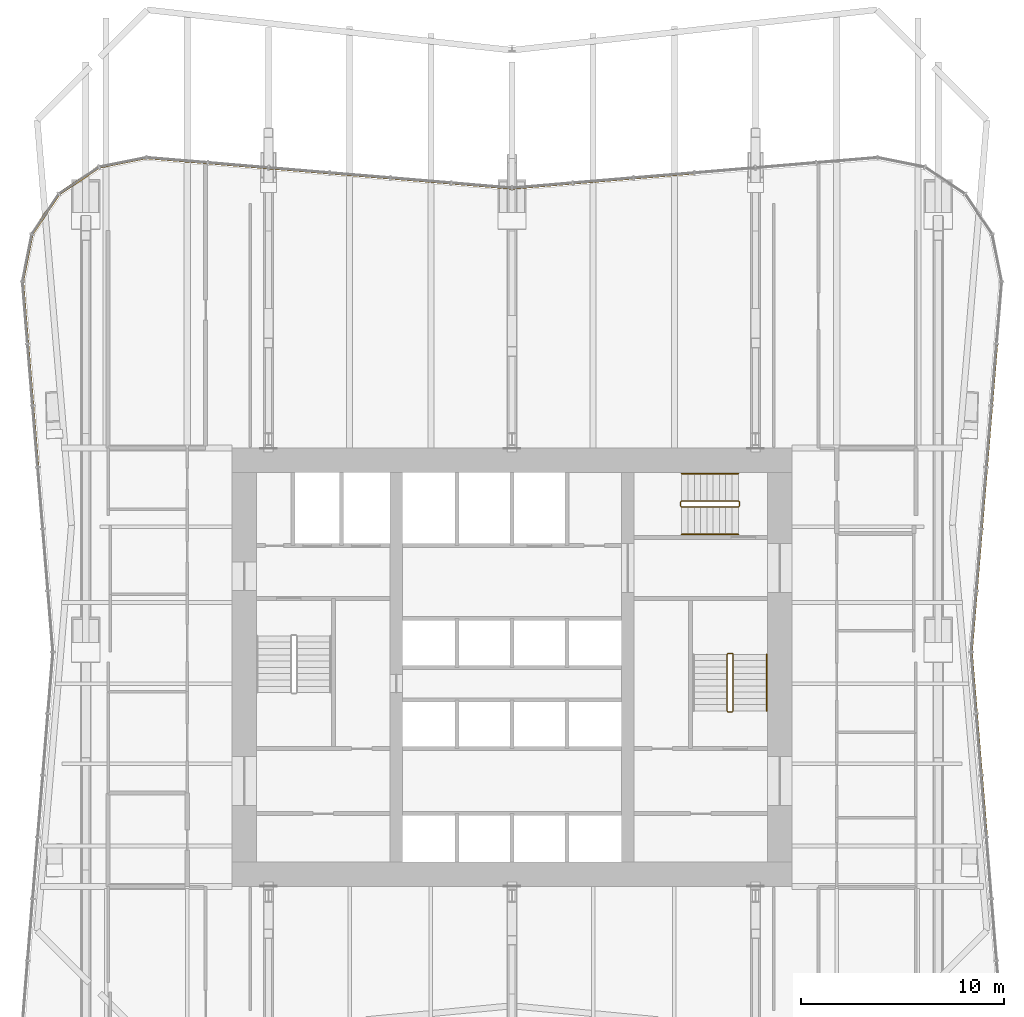
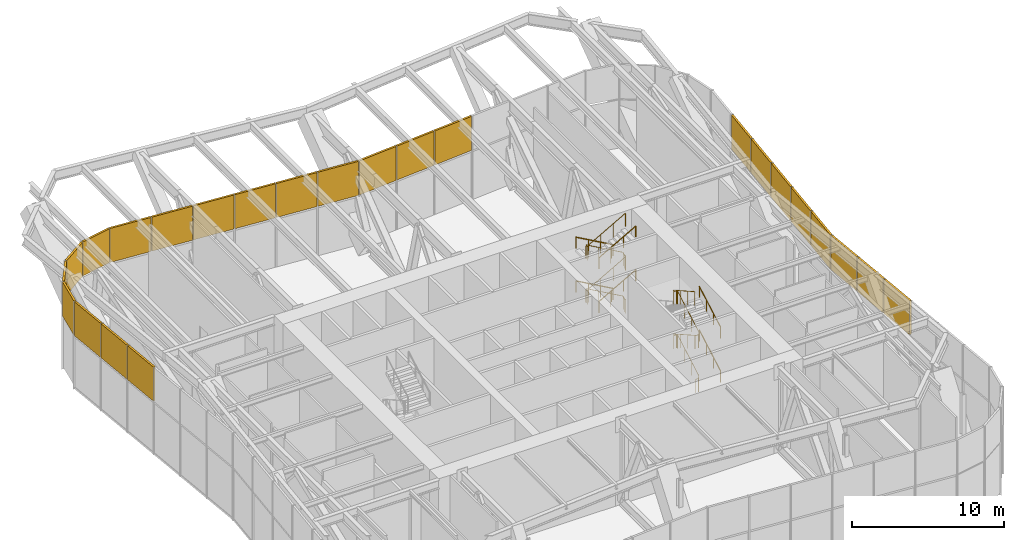
# One storey, part 16 of 17: 24 shading devices, 8 railings, 4 elements without a shape of their own.
"""IFC4 building model written with IfcOpenShell, lengths in metres."""

from ifc_helpers import new_model, si_unit, direction, frame, origin, origin_2d, place, context, subcontext, project, spatial, rectangle, circle, extrude, material, layer, layer_set, type_object, element, aggregate, save


model = new_model("IFC4")

# Units and contexts
model_context = context("Model", 3, precision=1e-05, world=origin(), true_north=direction((0.0, 1.0)))
body_context = subcontext(model_context, "Body", "Model", "MODEL_VIEW")
ifc_project = project(units=[si_unit("LENGTHUNIT", "METRE"), si_unit("AREAUNIT", "SQUARE_METRE"), si_unit("VOLUMEUNIT", "CUBIC_METRE"), si_unit("PLANEANGLEUNIT", "RADIAN"), si_unit("MASSUNIT", "GRAM", prefix="KILO")], contexts=[model_context])

# Site, building, storey
site_placement = place(None, origin())
site = spatial("IfcSite", under=ifc_project, at=site_placement, CompositionType="ELEMENT")
building_placement = place(site_placement, origin())
building = spatial("IfcBuilding", under=site, at=building_placement, Name="Verdant Reach Tower", CompositionType="ELEMENT")
storey_placement = place(building_placement, frame((0.0, 0.0, 114.0)))
storey = spatial("IfcBuildingStorey", under=building, at=storey_placement, Name="L26 Plant", CompositionType="ELEMENT", Elevation=114.0)

# Railings
ifc_material_1 = material(Name="Stainless steel", Category="steel")
railing_type_1 = type_object("IfcRailingType", Name="CO-GUARD", PredefinedType="GUARDRAIL", material=ifc_material_1)
railing_1_placement = place(storey_placement, frame((10.64990234375, 25.800048828125, 0.0)))
element("IfcRailing", 1, at=railing_1_placement, inside=storey, type_object=railing_type_1, Name="L26 Plant ST-2 stair guard 1", PredefinedType="GUARDRAIL", context=body_context, shape_type="SweptSolid", body=[
    extrude(circle(Radius=0.02392578125, at=origin_2d()), frame((0.0, 0.0, 1.076171875), z_axis=(1.0, 0.0, 0.0), x_axis=(0.0, 1.0, 0.0)), (0.0, 0.0, 1.0), 0.2001953125),
    extrude(circle(Radius=0.02392578125, at=origin_2d()), frame((0.2001953125, 0.0, 1.076171875), z_axis=(0.263862480399, 0.265155923931, 0.927399011991), x_axis=(-0.708833529934, 0.705375805398, 0.0)), (0.0, 0.0, 1.0), 0.188720703125),
    extrude(circle(Radius=0.02392578125, at=origin_2d()), frame((0.25, 0.050048828125, 1.2509765625), z_axis=(0.0, 0.870815363784, 0.491610213684), x_axis=(-1.0, 0.0, 0.0)), (0.0, 0.0, 1.0), 3.20361328125),
    extrude(circle(Radius=0.02392578125, at=origin_2d()), frame((0.25, 2.83984375, 2.826171875), z_axis=(-0.705375805398, 0.708833529934, 0.0), x_axis=(-0.708833529934, -0.705375805398, 0.0)), (0.0, 0.0, 1.0), 0.070556640625),
    extrude(circle(Radius=0.02392578125, at=origin_2d()), frame((0.2001953125, 2.889892578125, 2.826171875), z_axis=(-1.0, 0.0, 0.0), x_axis=(0.0, -1.0, 0.0)), (0.0, 0.0, 1.0), 0.2001953125),
    extrude(circle(Radius=0.02392578125, at=origin_2d()), frame((0.0, 2.889892578125, 2.826171875), z_axis=(-0.263862480399, -0.265155923931, 0.927399011991), x_axis=(0.708833529934, -0.705375805398, 0.0)), (0.0, 0.0, 1.0), 0.188720703125),
    extrude(circle(Radius=0.02392578125, at=origin_2d()), frame((-0.0498046875, 2.83984375, 3.0009765625), z_axis=(0.0, -0.870815363784, 0.491610213684), x_axis=(1.0, 0.0, 0.0)), (0.0, 0.0, 1.0), 3.20361328125),
    extrude(circle(Radius=0.02392578125, at=origin_2d()), frame((-0.0498046875, 0.050048828125, 4.576171875), z_axis=(0.705375805398, -0.708833529934, 0.0), x_axis=(0.708833529934, 0.705375805398, 0.0)), (0.0, 0.0, 1.0), 0.070556640625),
    extrude(circle(Radius=0.02392578125, at=origin_2d()), frame((0.0, 0.0, 4.576171875), z_axis=(1.0, 0.0, 0.0), x_axis=(0.0, 1.0, 0.0)), (0.0, 0.0, 1.0), 0.2001953125),
    extrude(circle(Radius=0.02392578125, at=origin_2d()), frame((0.2001953125, 0.0, 4.576171875), z_axis=(0.263862480399, 0.265155923931, 0.927399011991), x_axis=(-0.708833529934, 0.705375805398, 0.0)), (0.0, 0.0, 1.0), 0.188720703125),
    extrude(circle(Radius=0.02392578125, at=origin_2d()), frame((0.25, 0.050048828125, 4.7509765625), z_axis=(0.0, 0.870815363784, 0.491610213684), x_axis=(-1.0, 0.0, 0.0)), (0.0, 0.0, 1.0), 3.20361328125),
    extrude(circle(Radius=0.02392578125, at=origin_2d()), frame((0.25, 2.83984375, 6.326171875), z_axis=(-0.705375805398, 0.708833529934, 0.0), x_axis=(-0.708833529934, -0.705375805398, 0.0)), (0.0, 0.0, 1.0), 0.070556640625),
    extrude(circle(Radius=0.02392578125, at=origin_2d()), frame((0.2001953125, 2.889892578125, 6.326171875), z_axis=(-1.0, 0.0, 0.0), x_axis=(0.0, -1.0, 0.0)), (0.0, 0.0, 1.0), 0.2001953125),
    extrude(circle(Radius=0.02392578125, at=origin_2d()), frame((0.0, 2.889892578125, 6.326171875), z_axis=(-0.263862480399, -0.265155923931, 0.927399011991), x_axis=(0.708833529934, -0.705375805398, 0.0)), (0.0, 0.0, 1.0), 0.188720703125),
    extrude(circle(Radius=0.02392578125, at=origin_2d()), frame((-0.0498046875, 2.83984375, 6.5009765625), z_axis=(0.0, -0.870815363784, 0.491610213684), x_axis=(1.0, 0.0, 0.0)), (0.0, 0.0, 1.0), 3.20361328125),
    extrude(circle(Radius=0.02099609375, at=origin_2d()), origin(), (0.0, 0.0, 1.0), 1.052001953125),
    extrude(circle(Radius=0.02099609375, at=origin_2d()), frame((0.2001953125, 0.0, 0.0)), (0.0, 0.0, 1.0), 1.052001953125),
    extrude(circle(Radius=0.02099609375, at=origin_2d()), frame((0.25, 0.050048828125, 0.175048828125)), (0.0, 0.0, 1.0), 1.052001953125),
    extrude(circle(Radius=0.02099609375, at=origin_2d()), frame((0.25, 0.97998046875, 0.699951171875)), (0.0, 0.0, 1.0), 1.052001953125),
    extrude(circle(Radius=0.02099609375, at=origin_2d()), frame((0.25, 1.909912109375, 1.22509765625)), (0.0, 0.0, 1.0), 1.052001953125),
    extrude(circle(Radius=0.02099609375, at=origin_2d()), frame((0.25, 2.83984375, 1.75)), (0.0, 0.0, 1.0), 1.052001953125),
    extrude(circle(Radius=0.02099609375, at=origin_2d()), frame((0.2001953125, 2.889892578125, 1.75)), (0.0, 0.0, 1.0), 1.052001953125),
    extrude(circle(Radius=0.02099609375, at=origin_2d()), frame((0.0, 2.889892578125, 1.75)), (0.0, 0.0, 1.0), 1.052001953125),
    extrude(circle(Radius=0.02099609375, at=origin_2d()), frame((-0.0498046875, 2.83984375, 1.925048828125)), (0.0, 0.0, 1.0), 1.052001953125),
    extrude(circle(Radius=0.02099609375, at=origin_2d()), frame((-0.0498046875, 1.909912109375, 2.449951171875)), (0.0, 0.0, 1.0), 1.052001953125),
    extrude(circle(Radius=0.02099609375, at=origin_2d()), frame((-0.0498046875, 0.97998046875, 2.97509765625)), (0.0, 0.0, 1.0), 1.052001953125),
    extrude(circle(Radius=0.02099609375, at=origin_2d()), frame((-0.0498046875, 0.050048828125, 3.5)), (0.0, 0.0, 1.0), 1.052001953125),
    extrude(circle(Radius=0.02099609375, at=origin_2d()), frame((0.0, 0.0, 3.5)), (0.0, 0.0, 1.0), 1.052001953125),
    extrude(circle(Radius=0.02099609375, at=origin_2d()), frame((0.2001953125, 0.0, 3.5)), (0.0, 0.0, 1.0), 1.052001953125),
    extrude(circle(Radius=0.02099609375, at=origin_2d()), frame((0.25, 0.050048828125, 3.675048828125)), (0.0, 0.0, 1.0), 1.052001953125),
    extrude(circle(Radius=0.02099609375, at=origin_2d()), frame((0.25, 0.97998046875, 4.199951171875)), (0.0, 0.0, 1.0), 1.052001953125),
    extrude(circle(Radius=0.02099609375, at=origin_2d()), frame((0.25, 1.909912109375, 4.72509765625)), (0.0, 0.0, 1.0), 1.052001953125),
    extrude(circle(Radius=0.02099609375, at=origin_2d()), frame((0.25, 2.83984375, 5.25)), (0.0, 0.0, 1.0), 1.052001953125),
    extrude(circle(Radius=0.02099609375, at=origin_2d()), frame((0.2001953125, 2.889892578125, 5.25)), (0.0, 0.0, 1.0), 1.052001953125),
    extrude(circle(Radius=0.02099609375, at=origin_2d()), frame((0.0, 2.889892578125, 5.25)), (0.0, 0.0, 1.0), 1.052001953125),
    extrude(circle(Radius=0.02099609375, at=origin_2d()), frame((-0.0498046875, 2.83984375, 5.425048828125)), (0.0, 0.0, 1.0), 1.052001953125),
    extrude(circle(Radius=0.02099609375, at=origin_2d()), frame((-0.0498046875, 1.909912109375, 5.949951171875)), (0.0, 0.0, 1.0), 1.052001953125),
    extrude(circle(Radius=0.02099609375, at=origin_2d()), frame((-0.0498046875, 0.97998046875, 6.47509765625)), (0.0, 0.0, 1.0), 1.052001953125),
    extrude(circle(Radius=0.02099609375, at=origin_2d()), frame((-0.0498046875, 0.050048828125, 7.0)), (0.0, 0.0, 1.0), 1.052001953125),
])
railing_2_placement = place(storey_placement, frame((11.199951171875, 35.949951171875, 0.0)))
element("IfcRailing", 2, at=railing_2_placement, inside=storey, type_object=railing_type_1, Name="L26 Plant ST-3 stair guard 1", PredefinedType="GUARDRAIL", context=body_context, shape_type="SweptSolid", body=[
    extrude(circle(Radius=0.02392578125, at=origin_2d()), frame((0.0, 0.0, 1.076171875), z_axis=(0.0, 1.0, 0.0), x_axis=(-1.0, 0.0, 0.0)), (0.0, 0.0, 1.0), 0.199951171875),
    extrude(circle(Radius=0.02392578125, at=origin_2d()), frame((0.0, 0.199951171875, 1.076171875), z_axis=(-0.265065253269, 0.265065253269, 0.927081885822), x_axis=(-0.707106781187, -0.707106781187, 0.0)), (0.0, 0.0, 1.0), 0.188720703125),
    extrude(circle(Radius=0.02392578125, at=origin_2d()), frame((-0.050048828125, 0.25, 1.2509765625), z_axis=(-0.870815363784, 0.0, 0.491610213684), x_axis=(0.0, -1.0, 0.0)), (0.0, 0.0, 1.0), 3.20361328125),
    extrude(circle(Radius=0.02392578125, at=origin_2d()), frame((-2.83984375, 0.25, 2.826171875), z_axis=(-0.707106781187, -0.707106781187, 0.0), x_axis=(0.707106781187, -0.707106781187, 0.0)), (0.0, 0.0, 1.0), 0.07080078125),
    extrude(circle(Radius=0.02392578125, at=origin_2d()), frame((-2.889892578125, 0.199951171875, 2.826171875), z_axis=(0.0, -1.0, 0.0), x_axis=(1.0, 0.0, 0.0)), (0.0, 0.0, 1.0), 0.199951171875),
    extrude(circle(Radius=0.02392578125, at=origin_2d()), frame((-2.889892578125, 0.0, 2.826171875), z_axis=(0.265065253269, -0.265065253269, 0.927081885822), x_axis=(0.707106781187, 0.707106781187, 0.0)), (0.0, 0.0, 1.0), 0.188720703125),
    extrude(circle(Radius=0.02392578125, at=origin_2d()), frame((-2.83984375, -0.050048828125, 3.0009765625), z_axis=(0.870815363784, 0.0, 0.491610213684), x_axis=(0.0, 1.0, 0.0)), (0.0, 0.0, 1.0), 3.20361328125),
    extrude(circle(Radius=0.02392578125, at=origin_2d()), frame((-0.050048828125, -0.050048828125, 4.576171875), z_axis=(0.707106781187, 0.707106781187, 0.0), x_axis=(-0.707106781187, 0.707106781187, 0.0)), (0.0, 0.0, 1.0), 0.07080078125),
    extrude(circle(Radius=0.02392578125, at=origin_2d()), frame((0.0, 0.0, 4.576171875), z_axis=(0.0, 1.0, 0.0), x_axis=(-1.0, 0.0, 0.0)), (0.0, 0.0, 1.0), 0.199951171875),
    extrude(circle(Radius=0.02392578125, at=origin_2d()), frame((0.0, 0.199951171875, 4.576171875), z_axis=(-0.265065253269, 0.265065253269, 0.927081885822), x_axis=(-0.707106781187, -0.707106781187, 0.0)), (0.0, 0.0, 1.0), 0.188720703125),
    extrude(circle(Radius=0.02392578125, at=origin_2d()), frame((-0.050048828125, 0.25, 4.7509765625), z_axis=(-0.870815363784, 0.0, 0.491610213684), x_axis=(0.0, -1.0, 0.0)), (0.0, 0.0, 1.0), 3.20361328125),
    extrude(circle(Radius=0.02392578125, at=origin_2d()), frame((-2.83984375, 0.25, 6.326171875), z_axis=(-0.707106781187, -0.707106781187, 0.0), x_axis=(0.707106781187, -0.707106781187, 0.0)), (0.0, 0.0, 1.0), 0.07080078125),
    extrude(circle(Radius=0.02392578125, at=origin_2d()), frame((-2.889892578125, 0.199951171875, 6.326171875), z_axis=(0.0, -1.0, 0.0), x_axis=(1.0, 0.0, 0.0)), (0.0, 0.0, 1.0), 0.199951171875),
    extrude(circle(Radius=0.02392578125, at=origin_2d()), frame((-2.889892578125, 0.0, 6.326171875), z_axis=(0.265065253269, -0.265065253269, 0.927081885822), x_axis=(0.707106781187, 0.707106781187, 0.0)), (0.0, 0.0, 1.0), 0.188720703125),
    extrude(circle(Radius=0.02392578125, at=origin_2d()), frame((-2.83984375, -0.050048828125, 6.5009765625), z_axis=(0.870815363784, 0.0, 0.491610213684), x_axis=(0.0, 1.0, 0.0)), (0.0, 0.0, 1.0), 3.20361328125),
    extrude(circle(Radius=0.02099609375, at=origin_2d()), origin(), (0.0, 0.0, 1.0), 1.052001953125),
    extrude(circle(Radius=0.02099609375, at=origin_2d()), frame((0.0, 0.199951171875, 0.0)), (0.0, 0.0, 1.0), 1.052001953125),
    extrude(circle(Radius=0.02099609375, at=origin_2d()), frame((-0.050048828125, 0.25, 0.175048828125)), (0.0, 0.0, 1.0), 1.052001953125),
    extrude(circle(Radius=0.02099609375, at=origin_2d()), frame((-0.97998046875, 0.25, 0.699951171875)), (0.0, 0.0, 1.0), 1.052001953125),
    extrude(circle(Radius=0.02099609375, at=origin_2d()), frame((-1.909912109375, 0.25, 1.22509765625)), (0.0, 0.0, 1.0), 1.052001953125),
    extrude(circle(Radius=0.02099609375, at=origin_2d()), frame((-2.83984375, 0.25, 1.75)), (0.0, 0.0, 1.0), 1.052001953125),
    extrude(circle(Radius=0.02099609375, at=origin_2d()), frame((-2.889892578125, 0.199951171875, 1.75)), (0.0, 0.0, 1.0), 1.052001953125),
    extrude(circle(Radius=0.02099609375, at=origin_2d()), frame((-2.889892578125, 0.0, 1.75)), (0.0, 0.0, 1.0), 1.052001953125),
    extrude(circle(Radius=0.02099609375, at=origin_2d()), frame((-2.83984375, -0.050048828125, 1.925048828125)), (0.0, 0.0, 1.0), 1.052001953125),
    extrude(circle(Radius=0.02099609375, at=origin_2d()), frame((-1.909912109375, -0.050048828125, 2.449951171875)), (0.0, 0.0, 1.0), 1.052001953125),
    extrude(circle(Radius=0.02099609375, at=origin_2d()), frame((-0.97998046875, -0.050048828125, 2.97509765625)), (0.0, 0.0, 1.0), 1.052001953125),
    extrude(circle(Radius=0.02099609375, at=origin_2d()), frame((-0.050048828125, -0.050048828125, 3.5)), (0.0, 0.0, 1.0), 1.052001953125),
    extrude(circle(Radius=0.02099609375, at=origin_2d()), frame((0.0, 0.0, 3.5)), (0.0, 0.0, 1.0), 1.052001953125),
    extrude(circle(Radius=0.02099609375, at=origin_2d()), frame((0.0, 0.199951171875, 3.5)), (0.0, 0.0, 1.0), 1.052001953125),
    extrude(circle(Radius=0.02099609375, at=origin_2d()), frame((-0.050048828125, 0.25, 3.675048828125)), (0.0, 0.0, 1.0), 1.052001953125),
    extrude(circle(Radius=0.02099609375, at=origin_2d()), frame((-0.97998046875, 0.25, 4.199951171875)), (0.0, 0.0, 1.0), 1.052001953125),
    extrude(circle(Radius=0.02099609375, at=origin_2d()), frame((-1.909912109375, 0.25, 4.72509765625)), (0.0, 0.0, 1.0), 1.052001953125),
    extrude(circle(Radius=0.02099609375, at=origin_2d()), frame((-2.83984375, 0.25, 5.25)), (0.0, 0.0, 1.0), 1.052001953125),
    extrude(circle(Radius=0.02099609375, at=origin_2d()), frame((-2.889892578125, 0.199951171875, 5.25)), (0.0, 0.0, 1.0), 1.052001953125),
    extrude(circle(Radius=0.02099609375, at=origin_2d()), frame((-2.889892578125, 0.0, 5.25)), (0.0, 0.0, 1.0), 1.052001953125),
    extrude(circle(Radius=0.02099609375, at=origin_2d()), frame((-2.83984375, -0.050048828125, 5.425048828125)), (0.0, 0.0, 1.0), 1.052001953125),
    extrude(circle(Radius=0.02099609375, at=origin_2d()), frame((-1.909912109375, -0.050048828125, 5.949951171875)), (0.0, 0.0, 1.0), 1.052001953125),
    extrude(circle(Radius=0.02099609375, at=origin_2d()), frame((-0.97998046875, -0.050048828125, 6.47509765625)), (0.0, 0.0, 1.0), 1.052001953125),
    extrude(circle(Radius=0.02099609375, at=origin_2d()), frame((-0.050048828125, -0.050048828125, 7.0)), (0.0, 0.0, 1.0), 1.052001953125),
])
railing_type_2 = type_object("IfcRailingType", Name="CO-HANDRAIL", PredefinedType="HANDRAIL", material=ifc_material_1)
for number, where, name in (
    (3, (12.550048828125, 25.85009765625, 0.175048828125), "L26 Plant ST-2 stair handrail 1"),
    (4, (12.550048828125, 25.85009765625, 3.675048828125), "L26 Plant ST-2 stair handrail 3"),
):
    element("IfcRailing", number, at=place(storey_placement, frame(where)), inside=storey, type_object=railing_type_2, Name=name, PredefinedType="HANDRAIL", context=body_context, shape_type="SweptSolid", body=[
        extrude(circle(Radius=0.02392578125, at=origin_2d()), frame((0.0, 0.0, 0.8759765625), z_axis=(0.0, 0.870815363784, 0.491610213684), x_axis=(-1.0, 0.0, 0.0)), (0.0, 0.0, 1.0), 3.20361328125),
        extrude(circle(Radius=0.02099609375, at=origin_2d()), origin(), (0.0, 0.0, 1.0), 0.851806640625),
        extrude(circle(Radius=0.02099609375, at=origin_2d()), frame((0.0, 0.929931640625, 0.52490234375)), (0.0, 0.0, 1.0), 0.851806640625),
        extrude(circle(Radius=0.02099609375, at=origin_2d()), frame((0.0, 1.85986328125, 1.050048828125)), (0.0, 0.0, 1.0), 0.851806640625),
        extrude(circle(Radius=0.02099609375, at=origin_2d()), frame((0.0, 2.789794921875, 1.574951171875)), (0.0, 0.0, 1.0), 0.851806640625),
    ])
railing_3_placement = place(storey_placement, frame((11.14990234375, 37.550048828125, 0.175048828125)))
element("IfcRailing", 5, at=railing_3_placement, inside=storey, type_object=railing_type_2, Name="L26 Plant ST-3 stair handrail 1", PredefinedType="HANDRAIL", context=body_context, shape_type="SweptSolid", body=[
    extrude(circle(Radius=0.02392578125, at=origin_2d()), frame((0.0, 0.0, 0.8759765625), z_axis=(-0.870815363784, 0.0, 0.491610213684), x_axis=(0.0, -1.0, 0.0)), (0.0, 0.0, 1.0), 3.20361328125),
    extrude(circle(Radius=0.02099609375, at=origin_2d()), origin(), (0.0, 0.0, 1.0), 0.851806640625),
    extrude(circle(Radius=0.02099609375, at=origin_2d()), frame((-0.929931640625, 0.0, 0.52490234375)), (0.0, 0.0, 1.0), 0.851806640625),
    extrude(circle(Radius=0.02099609375, at=origin_2d()), frame((-1.85986328125, 0.0, 1.050048828125)), (0.0, 0.0, 1.0), 0.851806640625),
    extrude(circle(Radius=0.02099609375, at=origin_2d()), frame((-2.789794921875, 0.0, 1.574951171875)), (0.0, 0.0, 1.0), 0.851806640625),
])
railing_4_placement = place(storey_placement, frame((8.360107421875, 34.550048828125, 1.925048828125)))
element("IfcRailing", 6, at=railing_4_placement, inside=storey, type_object=railing_type_2, Name="L26 Plant ST-3 stair handrail 2", PredefinedType="HANDRAIL", context=body_context, shape_type="SweptSolid", body=[
    extrude(circle(Radius=0.02392578125, at=origin_2d()), frame((0.0, 0.0, 0.8759765625), z_axis=(0.870815363784, 0.0, 0.491610213684), x_axis=(0.0, 1.0, 0.0)), (0.0, 0.0, 1.0), 3.20361328125),
    extrude(circle(Radius=0.02099609375, at=origin_2d()), origin(), (0.0, 0.0, 1.0), 0.851806640625),
    extrude(circle(Radius=0.02099609375, at=origin_2d()), frame((0.929931640625, 0.0, 0.52490234375)), (0.0, 0.0, 1.0), 0.851806640625),
    extrude(circle(Radius=0.02099609375, at=origin_2d()), frame((1.85986328125, 0.0, 1.050048828125)), (0.0, 0.0, 1.0), 0.851806640625),
    extrude(circle(Radius=0.02099609375, at=origin_2d()), frame((2.789794921875, 0.0, 1.574951171875)), (0.0, 0.0, 1.0), 0.851806640625),
])
railing_5_placement = place(storey_placement, frame((11.14990234375, 37.550048828125, 3.675048828125)))
element("IfcRailing", 7, at=railing_5_placement, inside=storey, type_object=railing_type_2, Name="L26 Plant ST-3 stair handrail 3", PredefinedType="HANDRAIL", context=body_context, shape_type="SweptSolid", body=[
    extrude(circle(Radius=0.02392578125, at=origin_2d()), frame((0.0, 0.0, 0.8759765625), z_axis=(-0.870815363784, 0.0, 0.491610213684), x_axis=(0.0, -1.0, 0.0)), (0.0, 0.0, 1.0), 3.20361328125),
    extrude(circle(Radius=0.02099609375, at=origin_2d()), origin(), (0.0, 0.0, 1.0), 0.851806640625),
    extrude(circle(Radius=0.02099609375, at=origin_2d()), frame((-0.929931640625, 0.0, 0.52490234375)), (0.0, 0.0, 1.0), 0.851806640625),
    extrude(circle(Radius=0.02099609375, at=origin_2d()), frame((-1.85986328125, 0.0, 1.050048828125)), (0.0, 0.0, 1.0), 0.851806640625),
    extrude(circle(Radius=0.02099609375, at=origin_2d()), frame((-2.789794921875, 0.0, 1.574951171875)), (0.0, 0.0, 1.0), 0.851806640625),
])
railing_6_placement = place(storey_placement, frame((8.360107421875, 34.550048828125, 5.425048828125)))
element("IfcRailing", 8, at=railing_6_placement, inside=storey, type_object=railing_type_2, Name="L26 Plant ST-3 stair handrail 4", PredefinedType="HANDRAIL", context=body_context, shape_type="SweptSolid", body=[
    extrude(circle(Radius=0.02392578125, at=origin_2d()), frame((0.0, 0.0, 0.8759765625), z_axis=(0.870815363784, 0.0, 0.491610213684), x_axis=(0.0, 1.0, 0.0)), (0.0, 0.0, 1.0), 3.20361328125),
    extrude(circle(Radius=0.02099609375, at=origin_2d()), origin(), (0.0, 0.0, 1.0), 0.851806640625),
    extrude(circle(Radius=0.02099609375, at=origin_2d()), frame((0.929931640625, 0.0, 0.52490234375)), (0.0, 0.0, 1.0), 0.851806640625),
    extrude(circle(Radius=0.02099609375, at=origin_2d()), frame((1.85986328125, 0.0, 1.050048828125)), (0.0, 0.0, 1.0), 0.851806640625),
    extrude(circle(Radius=0.02099609375, at=origin_2d()), frame((2.789794921875, 0.0, 1.574951171875)), (0.0, 0.0, 1.0), 0.851806640625),
])

# Curtain wall, shading devices
ifc_material_2 = material(Name="Anodised aluminium", Category="aluminium")
curtain_wall_type = type_object("IfcCurtainWallType", Name="EN-CW SYSTEM PLANT", PredefinedType="NOTDEFINED", material=ifc_material_2)
curtain_wall_1_placement = place(storey_placement, origin())
curtain_wall_1 = element("IfcCurtainWall", 9, at=curtain_wall_1_placement, inside=storey, type_object=curtain_wall_type, Name="Curtain wall east, L26", PredefinedType="NOTDEFINED")
ifc_material_3 = material(Name="Bronze anodised aluminium louvre", Category="aluminium")
ifc_layer = layer(ifc_material_3, 0.14990234375)
ifc_layer_set = layer_set([ifc_layer], Name="EN-LOUVRE")
shading_device_type = type_object("IfcShadingDeviceType", Name="EN-LOUVRE", PredefinedType="USERDEFINED", material=ifc_layer_set)
shading_device_1_placement = place(storey_placement, frame((23.24365234375, 21.155517578125, 3.925048828125), z_axis=(0.0, 0.0, 1.0), x_axis=(-0.081915556724, 0.996639273542, 0.0)))
shading_device_1 = element("IfcShadingDevice", 10, at=shading_device_1_placement, type_object=shading_device_type, Name="Louvre bank east face part 1 4, L26", ObjectType="LOUVRE", PredefinedType="USERDEFINED", context=body_context, shape_type="SweptSolid", body=[
    extrude(rectangle(XDim=2.975830078125, YDim=0.14990234375, at=origin_2d()), origin(), (0.0, 0.0, 1.0), 2.72509765625),
])
shading_device_2_placement = place(storey_placement, frame((22.99365234375, 24.197265625, 3.925048828125), z_axis=(0.0, 0.0, 1.0), x_axis=(-0.081915556724, 0.996639273542, 0.0)))
shading_device_2 = element("IfcShadingDevice", 11, at=shading_device_2_placement, type_object=shading_device_type, Name="Louvre bank east face part 1 5, L26", ObjectType="LOUVRE", PredefinedType="USERDEFINED", context=body_context, shape_type="SweptSolid", body=[
    extrude(rectangle(XDim=2.975830078125, YDim=0.14990234375, at=origin_2d()), origin(), (0.0, 0.0, 1.0), 2.72509765625),
])
shading_device_3_placement = place(storey_placement, frame((22.743896484375, 27.234130859375, 3.925048828125), z_axis=(0.0, 0.0, 1.0), x_axis=(-0.08204657489, 0.996628496256, 0.0)))
shading_device_3 = element("IfcShadingDevice", 12, at=shading_device_3_placement, type_object=shading_device_type, Name="Louvre bank east face part 1 6, L26", ObjectType="LOUVRE", PredefinedType="USERDEFINED", context=body_context, shape_type="SweptSolid", body=[
    extrude(rectangle(XDim=2.966064453125, YDim=0.14990234375, at=origin_2d()), origin(), (0.0, 0.0, 1.0), 2.72509765625),
])
shading_device_4_placement = place(storey_placement, frame((22.743896484375, 30.265869140625, 3.925048828125), z_axis=(0.0, 0.0, 1.0), x_axis=(0.08204657489, 0.996628496256, 0.0)))
shading_device_4 = element("IfcShadingDevice", 13, at=shading_device_4_placement, type_object=shading_device_type, Name="Louvre bank east face part 2 1, L26", ObjectType="LOUVRE", PredefinedType="USERDEFINED", context=body_context, shape_type="SweptSolid", body=[
    extrude(rectangle(XDim=2.966064453125, YDim=0.14990234375, at=origin_2d()), origin(), (0.0, 0.0, 1.0), 2.72509765625),
])
shading_device_5_placement = place(storey_placement, frame((22.99365234375, 33.302734375, 3.925048828125), z_axis=(0.0, 0.0, 1.0), x_axis=(0.081915556724, 0.996639273542, 0.0)))
shading_device_5 = element("IfcShadingDevice", 14, at=shading_device_5_placement, type_object=shading_device_type, Name="Louvre bank east face part 2 2, L26", ObjectType="LOUVRE", PredefinedType="USERDEFINED", context=body_context, shape_type="SweptSolid", body=[
    extrude(rectangle(XDim=2.975830078125, YDim=0.14990234375, at=origin_2d()), origin(), (0.0, 0.0, 1.0), 2.72509765625),
])
shading_device_6_placement = place(storey_placement, frame((23.24365234375, 36.344482421875, 3.925048828125), z_axis=(0.0, 0.0, 1.0), x_axis=(0.081915556724, 0.996639273542, 0.0)))
shading_device_6 = element("IfcShadingDevice", 15, at=shading_device_6_placement, type_object=shading_device_type, Name="Louvre bank east face part 2 3, L26", ObjectType="LOUVRE", PredefinedType="USERDEFINED", context=body_context, shape_type="SweptSolid", body=[
    extrude(rectangle(XDim=2.975830078125, YDim=0.14990234375, at=origin_2d()), origin(), (0.0, 0.0, 1.0), 2.72509765625),
])
shading_device_7_placement = place(storey_placement, frame((23.49365234375, 39.385986328125, 3.925048828125), z_axis=(0.0, 0.0, 1.0), x_axis=(0.081915556724, 0.996639273542, 0.0)))
shading_device_7 = element("IfcShadingDevice", 16, at=shading_device_7_placement, type_object=shading_device_type, Name="Louvre bank east face part 2 4, L26", ObjectType="LOUVRE", PredefinedType="USERDEFINED", context=body_context, shape_type="SweptSolid", body=[
    extrude(rectangle(XDim=2.975830078125, YDim=0.14990234375, at=origin_2d()), origin(), (0.0, 0.0, 1.0), 2.72509765625),
])
shading_device_8_placement = place(storey_placement, frame((23.74365234375, 42.427734375, 3.925048828125), z_axis=(0.0, 0.0, 1.0), x_axis=(0.081915556724, 0.996639273542, 0.0)))
shading_device_8 = element("IfcShadingDevice", 17, at=shading_device_8_placement, type_object=shading_device_type, Name="Louvre bank east face part 2 5, L26", ObjectType="LOUVRE", PredefinedType="USERDEFINED", context=body_context, shape_type="SweptSolid", body=[
    extrude(rectangle(XDim=2.975830078125, YDim=0.14990234375, at=origin_2d()), origin(), (0.0, 0.0, 1.0), 2.72509765625),
])
aggregate(curtain_wall_1, [shading_device_1, shading_device_2, shading_device_3, shading_device_4, shading_device_5, shading_device_6, shading_device_7, shading_device_8])

curtain_wall_2_placement = place(storey_placement, origin())
curtain_wall_2 = element("IfcCurtainWall", 18, at=curtain_wall_2_placement, inside=storey, type_object=curtain_wall_type, Name="Curtain wall north, L26", PredefinedType="NOTDEFINED")
shading_device_9_placement = place(storey_placement, frame((7.490234375, 52.24365234375, 3.925048828125), z_axis=(0.0, 0.0, 1.0), x_axis=(-0.996545758244, -0.083045479859, 0.0)))
shading_device_9 = element("IfcShadingDevice", 19, at=shading_device_9_placement, type_object=shading_device_type, Name="Louvre bank north face part 1 4, L26", ObjectType="LOUVRE", PredefinedType="USERDEFINED", context=body_context, shape_type="SweptSolid", body=[
    extrude(rectangle(XDim=2.934326171875, YDim=0.14990234375, at=origin_2d()), origin(), (0.0, 0.0, 1.0), 2.72509765625),
])
shading_device_10_placement = place(storey_placement, frame((4.490234375, 51.99365234375, 3.925048828125), z_axis=(0.0, 0.0, 1.0), x_axis=(-0.996545758244, -0.083045479859, 0.0)))
shading_device_10 = element("IfcShadingDevice", 20, at=shading_device_10_placement, type_object=shading_device_type, Name="Louvre bank north face part 1 5, L26", ObjectType="LOUVRE", PredefinedType="USERDEFINED", context=body_context, shape_type="SweptSolid", body=[
    extrude(rectangle(XDim=2.934326171875, YDim=0.14990234375, at=origin_2d()), origin(), (0.0, 0.0, 1.0), 2.72509765625),
])
shading_device_11_placement = place(storey_placement, frame((1.4951171875, 51.743896484375, 3.925048828125), z_axis=(0.0, 0.0, 1.0), x_axis=(-0.996534372104, -0.083182000546, 0.0)))
shading_device_11 = element("IfcShadingDevice", 21, at=shading_device_11_placement, type_object=shading_device_type, Name="Louvre bank north face part 1 6, L26", ObjectType="LOUVRE", PredefinedType="USERDEFINED", context=body_context, shape_type="SweptSolid", body=[
    extrude(rectangle(XDim=2.924560546875, YDim=0.14990234375, at=origin_2d()), origin(), (0.0, 0.0, 1.0), 2.72509765625),
])
shading_device_12_placement = place(storey_placement, frame((-1.4951171875, 51.743896484375, 3.925048828125), z_axis=(0.0, 0.0, 1.0), x_axis=(-0.996534372104, 0.083182000546, 0.0)))
shading_device_12 = element("IfcShadingDevice", 22, at=shading_device_12_placement, type_object=shading_device_type, Name="Louvre bank north face part 2 1, L26", ObjectType="LOUVRE", PredefinedType="USERDEFINED", context=body_context, shape_type="SweptSolid", body=[
    extrude(rectangle(XDim=2.924560546875, YDim=0.14990234375, at=origin_2d()), origin(), (0.0, 0.0, 1.0), 2.72509765625),
])
shading_device_13_placement = place(storey_placement, frame((-4.490234375, 51.99365234375, 3.925048828125), z_axis=(0.0, 0.0, 1.0), x_axis=(-0.996545758244, 0.083045479859, 0.0)))
shading_device_13 = element("IfcShadingDevice", 23, at=shading_device_13_placement, type_object=shading_device_type, Name="Louvre bank north face part 2 2, L26", ObjectType="LOUVRE", PredefinedType="USERDEFINED", context=body_context, shape_type="SweptSolid", body=[
    extrude(rectangle(XDim=2.934326171875, YDim=0.14990234375, at=origin_2d()), origin(), (0.0, 0.0, 1.0), 2.72509765625),
])
shading_device_14_placement = place(storey_placement, frame((-7.490234375, 52.24365234375, 3.925048828125), z_axis=(0.0, 0.0, 1.0), x_axis=(-0.996545758244, 0.083045479859, 0.0)))
shading_device_14 = element("IfcShadingDevice", 24, at=shading_device_14_placement, type_object=shading_device_type, Name="Louvre bank north face part 2 3, L26", ObjectType="LOUVRE", PredefinedType="USERDEFINED", context=body_context, shape_type="SweptSolid", body=[
    extrude(rectangle(XDim=2.934326171875, YDim=0.14990234375, at=origin_2d()), origin(), (0.0, 0.0, 1.0), 2.72509765625),
])
shading_device_15_placement = place(storey_placement, frame((-10.490234375, 52.49365234375, 3.925048828125), z_axis=(0.0, 0.0, 1.0), x_axis=(-0.996545758244, 0.083045479859, 0.0)))
shading_device_15 = element("IfcShadingDevice", 25, at=shading_device_15_placement, type_object=shading_device_type, Name="Louvre bank north face part 2 4, L26", ObjectType="LOUVRE", PredefinedType="USERDEFINED", context=body_context, shape_type="SweptSolid", body=[
    extrude(rectangle(XDim=2.934326171875, YDim=0.14990234375, at=origin_2d()), origin(), (0.0, 0.0, 1.0), 2.72509765625),
])
shading_device_16_placement = place(storey_placement, frame((-13.490234375, 52.74365234375, 3.925048828125), z_axis=(0.0, 0.0, 1.0), x_axis=(-0.996545758244, 0.083045479859, 0.0)))
shading_device_16 = element("IfcShadingDevice", 26, at=shading_device_16_placement, type_object=shading_device_type, Name="Louvre bank north face part 2 5, L26", ObjectType="LOUVRE", PredefinedType="USERDEFINED", context=body_context, shape_type="SweptSolid", body=[
    extrude(rectangle(XDim=2.934326171875, YDim=0.14990234375, at=origin_2d()), origin(), (0.0, 0.0, 1.0), 2.72509765625),
])
shading_device_17_placement = place(storey_placement, frame((-16.49853515625, 52.99365234375, 3.925048828125), z_axis=(0.0, 0.0, 1.0), x_axis=(-0.996577509664, 0.082663578629, 0.0)))
shading_device_17 = element("IfcShadingDevice", 27, at=shading_device_17_placement, type_object=shading_device_type, Name="Louvre bank north face part 2 6, L26", ObjectType="LOUVRE", PredefinedType="USERDEFINED", context=body_context, shape_type="SweptSolid", body=[
    extrude(rectangle(XDim=2.950927734375, YDim=0.14990234375, at=origin_2d()), origin(), (0.0, 0.0, 1.0), 2.72509765625),
])
aggregate(curtain_wall_2, [shading_device_9, shading_device_10, shading_device_11, shading_device_12, shading_device_13, shading_device_14, shading_device_15, shading_device_16, shading_device_17])

curtain_wall_3_placement = place(storey_placement, origin())
curtain_wall_3 = element("IfcCurtainWall", 28, at=curtain_wall_3_placement, inside=storey, type_object=curtain_wall_type, Name="Curtain wall north-west corner, L26", PredefinedType="NOTDEFINED")
shading_device_18_placement = place(storey_placement, frame((-19.174072265625, 52.885986328125, 3.925048828125), z_axis=(0.0, 0.0, 1.0), x_axis=(-0.980694678629, -0.195545256419, 0.0)))
shading_device_18 = element("IfcShadingDevice", 29, at=shading_device_18_placement, type_object=shading_device_type, Name="Louvre bank north-west corner 1, L26", ObjectType="LOUVRE", PredefinedType="USERDEFINED", context=body_context, shape_type="SweptSolid", body=[
    extrude(rectangle(XDim=2.304931640625, YDim=0.14990234375, at=origin_2d()), origin(), (0.0, 0.0, 1.0), 2.72509765625),
])
shading_device_19_placement = place(storey_placement, frame((-21.334228515625, 51.989990234375, 3.925048828125), z_axis=(0.0, 0.0, 1.0), x_axis=(-0.83145208321, -0.555596466265, 0.0)))
shading_device_19 = element("IfcShadingDevice", 30, at=shading_device_19_placement, type_object=shading_device_type, Name="Louvre bank north-west corner 2, L26", ObjectType="LOUVRE", PredefinedType="USERDEFINED", context=body_context, shape_type="SweptSolid", body=[
    extrude(rectangle(XDim=2.3115234375, YDim=0.14990234375, at=origin_2d()), origin(), (0.0, 0.0, 1.0), 2.72509765625),
])
shading_device_20_placement = place(storey_placement, frame((-22.989990234375, 50.334228515625, 3.925048828125), z_axis=(0.0, 0.0, 1.0), x_axis=(-0.555596466265, -0.83145208321, 0.0)))
shading_device_20 = element("IfcShadingDevice", 31, at=shading_device_20_placement, type_object=shading_device_type, Name="Louvre bank north-west corner 3, L26", ObjectType="LOUVRE", PredefinedType="USERDEFINED", context=body_context, shape_type="SweptSolid", body=[
    extrude(rectangle(XDim=2.3115234375, YDim=0.14990234375, at=origin_2d()), origin(), (0.0, 0.0, 1.0), 2.72509765625),
])
shading_device_21_placement = place(storey_placement, frame((-23.885986328125, 48.17431640625, 3.925048828125), z_axis=(0.0, 0.0, 1.0), x_axis=(-0.195549132142, -0.980693905823, 0.0)))
shading_device_21 = element("IfcShadingDevice", 32, at=shading_device_21_placement, type_object=shading_device_type, Name="Louvre bank north-west corner 4, L26", ObjectType="LOUVRE", PredefinedType="USERDEFINED", context=body_context, shape_type="SweptSolid", body=[
    extrude(rectangle(XDim=2.3046875, YDim=0.14990234375, at=origin_2d()), origin(), (0.0, 0.0, 1.0), 2.72509765625),
])
aggregate(curtain_wall_3, [shading_device_18, shading_device_19, shading_device_20, shading_device_21])

curtain_wall_4_placement = place(storey_placement, origin())
curtain_wall_4 = element("IfcCurtainWall", 33, at=curtain_wall_4_placement, inside=storey, type_object=curtain_wall_type, Name="Curtain wall west, L26", PredefinedType="NOTDEFINED")
shading_device_22_placement = place(storey_placement, frame((-23.99365234375, 45.477783203125, 3.925048828125), z_axis=(0.0, 0.0, 1.0), x_axis=(0.081541826124, -0.996669920582, 0.0)))
shading_device_22 = element("IfcShadingDevice", 34, at=shading_device_22_placement, type_object=shading_device_type, Name="Louvre bank west face part 1 1, L26", ObjectType="LOUVRE", PredefinedType="USERDEFINED", context=body_context, shape_type="SweptSolid", body=[
    extrude(rectangle(XDim=2.992431640625, YDim=0.14990234375, at=origin_2d()), origin(), (0.0, 0.0, 1.0), 2.72509765625),
])
shading_device_23_placement = place(storey_placement, frame((-23.74365234375, 42.427734375, 3.925048828125), z_axis=(0.0, 0.0, 1.0), x_axis=(0.081915556724, -0.996639273542, 0.0)))
shading_device_23 = element("IfcShadingDevice", 35, at=shading_device_23_placement, type_object=shading_device_type, Name="Louvre bank west face part 1 2, L26", ObjectType="LOUVRE", PredefinedType="USERDEFINED", context=body_context, shape_type="SweptSolid", body=[
    extrude(rectangle(XDim=2.975830078125, YDim=0.14990234375, at=origin_2d()), origin(), (0.0, 0.0, 1.0), 2.72509765625),
])
shading_device_24_placement = place(storey_placement, frame((-23.49365234375, 39.385986328125, 3.925048828125), z_axis=(0.0, 0.0, 1.0), x_axis=(0.081915556724, -0.996639273542, 0.0)))
shading_device_24 = element("IfcShadingDevice", 36, at=shading_device_24_placement, type_object=shading_device_type, Name="Louvre bank west face part 1 3, L26", ObjectType="LOUVRE", PredefinedType="USERDEFINED", context=body_context, shape_type="SweptSolid", body=[
    extrude(rectangle(XDim=2.975830078125, YDim=0.14990234375, at=origin_2d()), origin(), (0.0, 0.0, 1.0), 2.72509765625),
])
aggregate(curtain_wall_4, [shading_device_22, shading_device_23, shading_device_24])

save(model, "model.ifc")
